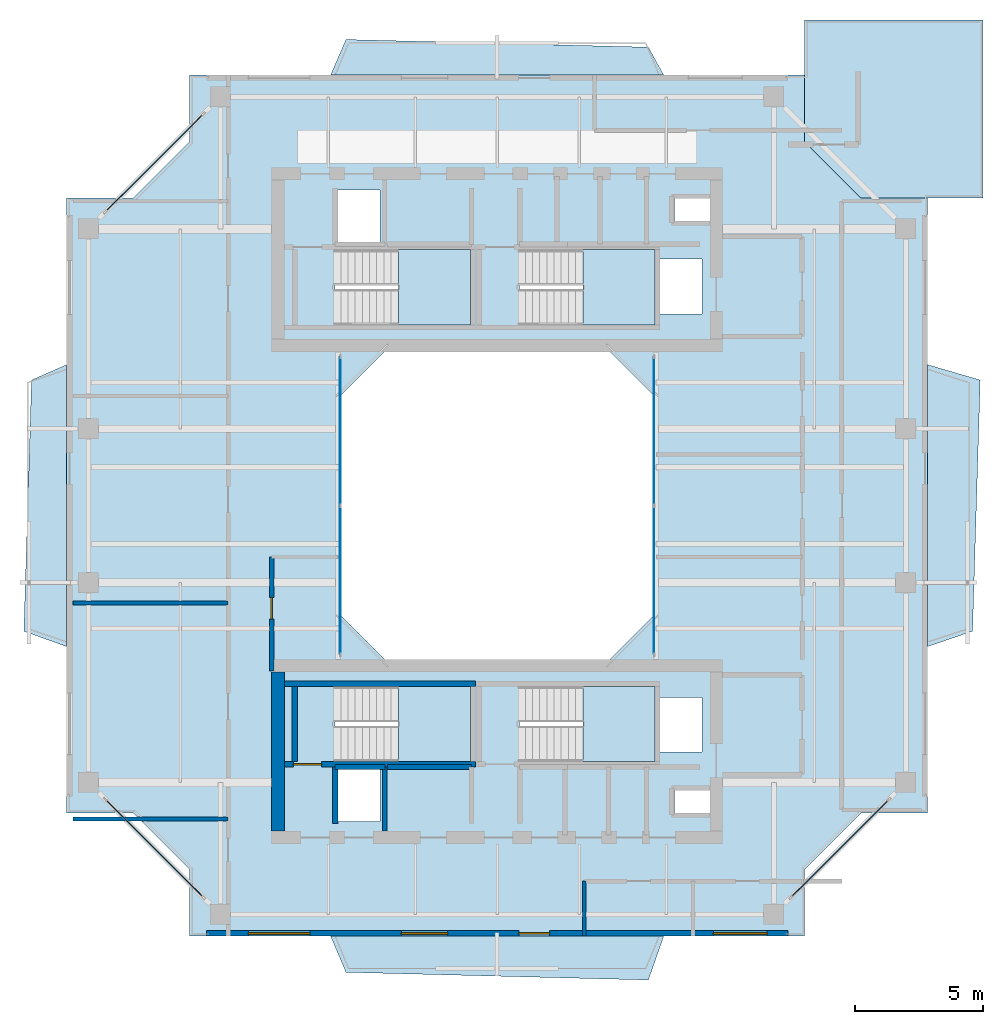
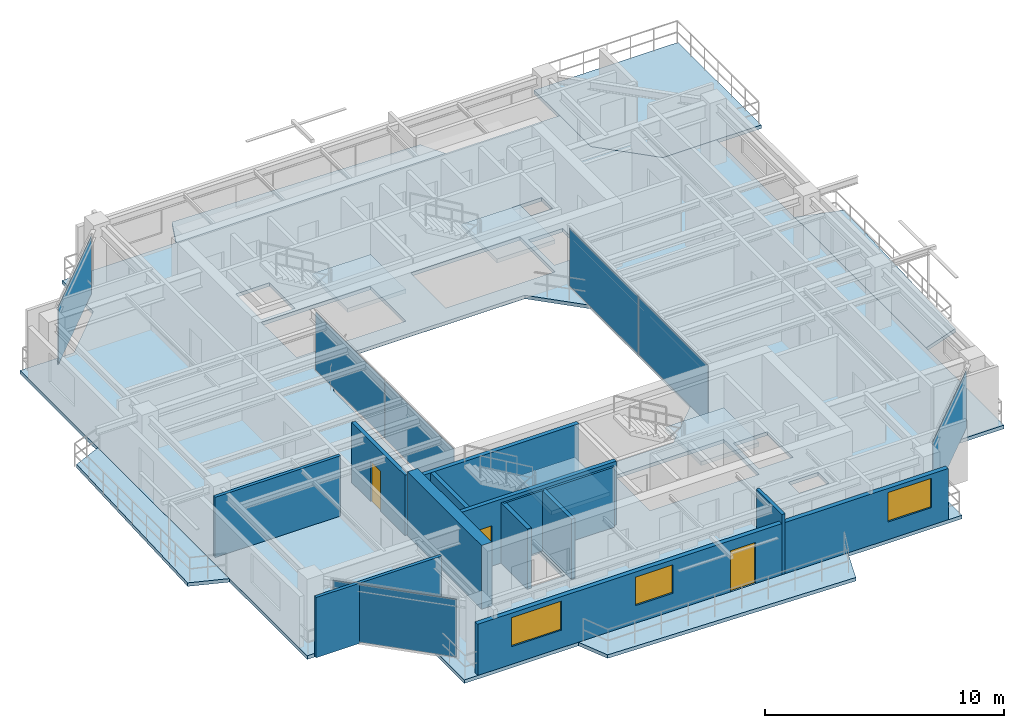
# One storey, part 9 of 16: 13 walls, 10 slabs, 7 plates, 3 doors, 3 windows, 6 openings, 9 elements without a shape of their own.
"""IFC4 building model written with IfcOpenShell, lengths in metres."""

import ifcopenshell
import ifcopenshell.guid

model = None  # the IFC model being written
_history = None  # IfcOwnerHistory: only IFC2X3 demands one
_inside = {}  # id of a spatial element -> (the spatial element, [elements in it])
_under = {}  # id of a project, library or spatial element -> (it, [spatial elements below it])
_declared = {}  # id of a project -> (the project, [libraries it declares])
_typed = {}  # id of a type object -> (the type object, [elements of that type])
_made_of = {}  # id of a material, layer set ... -> (it, [elements and type objects made of it])


def new_model(schema):
    """Start an empty IFC model of exactly this schema.

    Asked for "IFC4X3", IfcOpenShell would pick the latest addendum, in which some entities
    have other attributes; the version numbers below select the first issue.
    IFC2X3 requires an IfcOwnerHistory on every rooted entity: one is made here for all.
    """
    global model, _history
    if schema == "IFC4X3":
        model = ifcopenshell.file(schema_version=(4, 3, 0, 0))
    else:
        model = ifcopenshell.file(schema=schema)
    _inside.clear()
    _under.clear()
    _declared.clear()
    _typed.clear()
    _made_of.clear()
    _history = None
    if model.schema == "IFC2X3":
        org = make("IfcOrganization", Name="unknown")
        user = make(
            "IfcPersonAndOrganization",
            ThePerson=make("IfcPerson", FamilyName="unknown"),
            TheOrganization=org,
        )
        app = make(
            "IfcApplication",
            ApplicationDeveloper=org,
            Version="unknown",
            ApplicationFullName="unknown",
            ApplicationIdentifier="unknown",
        )
        _history = make(
            "IfcOwnerHistory",
            OwningUser=user,
            OwningApplication=app,
            ChangeAction="ADDED",
            CreationDate=0,
        )
    return model


def make(cls, **values):
    """One entity of the class cls with the attributes given. An attribute that is None is left unset."""
    return model.create_entity(
        cls, **{name: value for name, value in values.items() if value is not None}
    )


def rooted(cls, **values):
    """An entity with a GlobalId (a new one), such as an element, a storey or a relation."""
    return make(cls, GlobalId=ifcopenshell.guid.new(), OwnerHistory=_history, **values)


def si_unit(unit_type, name, prefix=None):
    """IfcSIUnit, for example si_unit("LENGTHUNIT", "METRE", prefix="MILLI")."""
    return make("IfcSIUnit", UnitType=unit_type, Prefix=prefix, Name=name)


def assignment(units):
    """IfcUnitAssignment: the units of a project."""
    return None if units is None else make("IfcUnitAssignment", Units=units)


def point(xyz):
    """IfcCartesianPoint."""
    return None if xyz is None else make("IfcCartesianPoint", Coordinates=xyz)


def direction(xyz):
    """IfcDirection."""
    return None if xyz is None else make("IfcDirection", DirectionRatios=xyz)


def frame(location, z_axis=None, x_axis=None):
    """IfcAxis2Placement3D, a coordinate frame: its origin and axes. An axis left out is left unset."""
    return make(
        "IfcAxis2Placement3D",
        Location=point(location),
        Axis=direction(z_axis),
        RefDirection=direction(x_axis),
    )


def frame_2d(location, x_axis=None):
    """IfcAxis2Placement2D, a coordinate frame in the plane: its origin and x axis."""
    return make(
        "IfcAxis2Placement2D", Location=point(location), RefDirection=direction(x_axis)
    )


def origin():
    """The frame at (0, 0, 0) with its axes left unset."""
    return frame((0.0, 0.0, 0.0))


def origin_2d():
    """The frame at (0, 0) in the plane with its x axis left unset."""
    return frame_2d((0.0, 0.0))


def place(relative_to, where):
    """IfcLocalPlacement: puts the frame where relative to a parent placement (None: the world)."""
    return make(
        "IfcLocalPlacement", PlacementRelTo=relative_to, RelativePlacement=where
    )


def context(
    kind, dimensions, precision=None, world=None, true_north=None, identifier=None
):
    """IfcGeometricRepresentationContext, for example the 3D "Model" context."""
    return make(
        "IfcGeometricRepresentationContext",
        ContextIdentifier=identifier,
        ContextType=kind,
        CoordinateSpaceDimension=dimensions,
        Precision=precision,
        WorldCoordinateSystem=world,
        TrueNorth=true_north,
    )


def subcontext(parent, identifier, kind, view, scale=None):
    """IfcGeometricRepresentationSubContext, for example "Body" below "Model"."""
    return make(
        "IfcGeometricRepresentationSubContext",
        ContextIdentifier=identifier,
        ContextType=kind,
        ParentContext=parent,
        TargetScale=scale,
        TargetView=view,
    )


def project(units=None, contexts=None):
    """IfcProject with its units and contexts."""
    return rooted(
        "IfcProject",
        Name="project",
        RepresentationContexts=contexts,
        UnitsInContext=assignment(units),
    )


def spatial(cls, under=None, at=None, **own):
    """A site, building, storey or space (cls), placed at a placement, below another one or the project."""
    s = rooted(cls, ObjectPlacement=at, **own)
    if under is not None:
        _under.setdefault(under.id(), (under, []))[1].append(s)
    return s


def polyline(points):
    """IfcPolyline through the points."""
    return make("IfcPolyline", Points=[point(p) for p in points])


def profile(cls, at=None, kind="AREA", **sizes):
    """A parametric profile (cls). Its sizes go by their IFC names, for example OverallWidth=200.0."""
    return make(cls, ProfileType=kind, Position=at, **sizes)


def rectangle(**sizes):
    """IfcRectangleProfileDef."""
    return profile("IfcRectangleProfileDef", **sizes)


def outline(outer, holes=None, kind="AREA"):
    """IfcArbitraryClosedProfileDef: a profile drawn as a closed curve; with holes, ...WithVoids."""
    if holes is None:
        return make("IfcArbitraryClosedProfileDef", ProfileType=kind, OuterCurve=outer)
    return make(
        "IfcArbitraryProfileDefWithVoids",
        ProfileType=kind,
        OuterCurve=outer,
        InnerCurves=holes,
    )


def extrude(swept, where, along, depth):
    """IfcExtrudedAreaSolid: the profile swept, set in the frame where, extruded along a direction by depth."""
    return make(
        "IfcExtrudedAreaSolid",
        SweptArea=swept,
        Position=where,
        ExtrudedDirection=direction(along),
        Depth=depth,
    )


def shape(context_of_items, identifier, shape_type, items):
    """IfcShapeRepresentation: the items that make up one representation, for example the "Body"."""
    return make(
        "IfcShapeRepresentation",
        ContextOfItems=context_of_items,
        RepresentationIdentifier=identifier,
        RepresentationType=shape_type,
        Items=items,
    )


def source(mapping_origin, context_of_items, identifier, shape_type, items):
    """IfcRepresentationMap: a shape defined once, which mapped items show again and again."""
    return make(
        "IfcRepresentationMap",
        MappingOrigin=mapping_origin,
        MappedRepresentation=shape(context_of_items, identifier, shape_type, items),
    )


def transform(
    local_origin,
    x_axis=None,
    y_axis=None,
    z_axis=None,
    scale=None,
    scale2=None,
    scale3=None,
    uniform=True,
):
    """IfcCartesianTransformationOperator3D, or its non-uniform kind. x_axis, y_axis, z_axis: its Axis1, 2, 3."""
    if uniform:
        return make(
            "IfcCartesianTransformationOperator3D",
            Axis1=direction(x_axis),
            Axis2=direction(y_axis),
            LocalOrigin=point(local_origin),
            Scale=scale,
            Axis3=direction(z_axis),
        )
    return make(
        "IfcCartesianTransformationOperator3DnonUniform",
        Axis1=direction(x_axis),
        Axis2=direction(y_axis),
        LocalOrigin=point(local_origin),
        Scale=scale,
        Axis3=direction(z_axis),
        Scale2=scale2,
        Scale3=scale3,
    )


def mapped(mapping_source, mapping_target):
    """IfcMappedItem: shows the shape of a source again, moved by a transform."""
    return make(
        "IfcMappedItem", MappingSource=mapping_source, MappingTarget=mapping_target
    )


def material(Name=None, Category=None):
    """IfcMaterial."""
    return make("IfcMaterial", Name=Name, Category=Category)


def layer(
    of_material, thickness, ventilated=None, Name=None, Category=None, Priority=None
):
    """IfcMaterialLayer: one layer of a wall or slab, of a material (None: an air gap)."""
    return make(
        "IfcMaterialLayer",
        Material=of_material,
        LayerThickness=thickness,
        IsVentilated=ventilated,
        Name=Name,
        Category=Category,
        Priority=Priority,
    )


def layer_set(layers, Name=None):
    """IfcMaterialLayerSet."""
    return make("IfcMaterialLayerSet", MaterialLayers=layers, LayerSetName=Name)


def made_of(thing, what):
    """Note that an element or type object is made of a material, layer set ...; save() writes the relation."""
    if what is not None:
        _made_of.setdefault(what.id(), (what, []))[1].append(thing)
    return thing


def type_object(cls, material=None, **own):
    """A type object (cls), such as IfcWallType, which elements share."""
    return made_of(rooted(cls, **own), material)


def element(
    cls,
    number,
    at=None,
    inside=None,
    cuts=None,
    type_object=None,
    material=None,
    context=None,
    identifier="Body",
    shape_type=None,
    held_by="IfcProductDefinitionShape",
    body=None,
    shapes=None,
    **own,
):
    """One element of the class cls, such as IfcWall. Its Tag is "e" and its number.

    at: its placement. inside: the storey or other place that contains it. cuts: it is an
    opening in that element (IfcRelVoidsElement). A single representation is given by context,
    identifier, shape_type and body (its items); several are given by shapes. held_by: the class
    of the entity that holds the representations. save() writes the other relations.
    """
    e = rooted(cls, Tag="e%d" % number, ObjectPlacement=at, **own)
    if body is not None:
        shapes = [shape(context, identifier, shape_type, body)]
    if shapes is not None:
        e.Representation = make(held_by, Representations=shapes)
    if inside is not None:
        _inside.setdefault(inside.id(), (inside, []))[1].append(e)
    if cuts is not None:
        rooted(
            "IfcRelVoidsElement", RelatingBuildingElement=cuts, RelatedOpeningElement=e
        )
    if type_object is not None:
        _typed.setdefault(type_object.id(), (type_object, []))[1].append(e)
    return made_of(e, material)


def fill(opening, filler):
    """IfcRelFillsElement: the door or window that sits in an opening."""
    return rooted(
        "IfcRelFillsElement",
        RelatingOpeningElement=opening,
        RelatedBuildingElement=filler,
    )


def aggregate(whole, parts):
    """IfcRelAggregates: a whole, such as a stair, and the parts it consists of."""
    return rooted("IfcRelAggregates", RelatingObject=whole, RelatedObjects=parts)


def save(model, path):
    """Write the relations noted so far, then the file.

    IfcRelAggregates (storeys below a building ...), IfcRelContainedInSpatialStructure (elements
    in a storey), IfcRelDefinesByType, IfcRelAssociatesMaterial and IfcRelDeclares: one each for
    every whole, place, type object, material and project.
    """
    for whole, parts in _under.values():
        aggregate(whole, parts)
    for where, things in _inside.values():
        rooted(
            "IfcRelContainedInSpatialStructure",
            RelatedElements=things,
            RelatingStructure=where,
        )
    for kind, things in _typed.values():
        rooted("IfcRelDefinesByType", RelatedObjects=things, RelatingType=kind)
    for what, things in _made_of.values():
        rooted("IfcRelAssociatesMaterial", RelatedObjects=things, RelatingMaterial=what)
    for by, libraries in _declared.values():
        rooted("IfcRelDeclares", RelatingContext=by, RelatedDefinitions=libraries)
    model.write(path)


model = new_model("IFC4")

# Units and contexts
model_context = context("Model", 3, precision=1e-05, world=origin(), true_north=direction((0.0, 1.0)))
body_context = subcontext(model_context, "Body", "Model", "MODEL_VIEW")
ifc_project = project(units=[si_unit("LENGTHUNIT", "METRE"), si_unit("AREAUNIT", "SQUARE_METRE"), si_unit("VOLUMEUNIT", "CUBIC_METRE"), si_unit("PLANEANGLEUNIT", "RADIAN"), si_unit("MASSUNIT", "GRAM", prefix="KILO"), si_unit("THERMODYNAMICTEMPERATUREUNIT", "KELVIN"), si_unit("POWERUNIT", "WATT")], contexts=[model_context])

# Site, building, storey
site_placement = place(None, origin())
site = spatial("IfcSite", under=ifc_project, at=site_placement, CompositionType="ELEMENT")
building_placement = place(site_placement, origin())
building = spatial("IfcBuilding", under=site, at=building_placement, Name="Qiaomeng Ring Towers", CompositionType="ELEMENT")
storey_placement = place(building_placement, frame((0.0, 0.0, 223.0)))
storey = spatial("IfcBuildingStorey", under=building, at=storey_placement, Name="L65", CompositionType="ELEMENT", Elevation=223.0)

# Slabs
ifc_material_1 = material(Name="Concrete C40", Category="concrete")
ifc_layer_1 = layer(ifc_material_1, 0.179931640625, Name="Concrete C40")
ifc_layer_set_1 = layer_set([ifc_layer_1], Name="Concrete C40")
slab_type_1 = type_object("IfcSlabType", Name="STR-SL-180", PredefinedType="FLOOR", material=ifc_layer_set_1)
slab_1_placement = place(storey_placement, frame((0.0, 0.0, -0.179931640625)))
element("IfcSlab", 1, at=slab_1_placement, inside=storey, type_object=slab_type_1, Name="L65 Tower 1 Annular Floor Slab", PredefinedType="FLOOR", context=body_context, shape_type="SweptSolid", body=[
    extrude(outline(polyline([(7.0, 6.199951171875), (31.0, 6.199951171875), (31.0, 8.800048828125), (33.199951171875, 11.0), (35.800048828125, 11.0), (35.800048828125, 35.0), (33.199951171875, 35.0), (31.0, 37.199951171875), (31.0, 39.800048828125), (7.0, 39.800048828125), (7.0, 37.199951171875), (4.800048828125, 35.0), (2.199951171875, 35.0), (2.199951171875, 11.0), (4.800048828125, 11.0), (7.0, 8.800048828125), (7.0, 6.199951171875)]), holes=[polyline([(12.780029296875, 10.679931640625), (12.780029296875, 12.820068359375), (14.419921875, 12.820068359375), (14.419921875, 10.679931640625), (12.780029296875, 10.679931640625)]), polyline([(12.679931640625, 13.010009765625), (12.679931640625, 15.949951171875), (17.949951171875, 15.949951171875), (17.949951171875, 13.010009765625), (12.679931640625, 13.010009765625)]), polyline([(23.199951171875, 29.199951171875), (25.199951171875, 27.199951171875), (25.199951171875, 18.800048828125), (23.199951171875, 16.800048828125), (14.800048828125, 16.800048828125), (12.800048828125, 18.800048828125), (12.800048828125, 27.199951171875), (14.800048828125, 29.199951171875), (23.199951171875, 29.199951171875)]), polyline([(12.679931640625, 32.989990234375), (17.949951171875, 32.989990234375), (17.949951171875, 30.050048828125), (12.679931640625, 30.050048828125), (12.679931640625, 32.989990234375)]), polyline([(19.8798828125, 32.989990234375), (25.14990234375, 32.989990234375), (25.14990234375, 30.050048828125), (19.8798828125, 30.050048828125), (19.8798828125, 32.989990234375)]), polyline([(12.780029296875, 33.179931640625), (12.780029296875, 35.320068359375), (14.419921875, 35.320068359375), (14.419921875, 33.179931640625), (12.780029296875, 33.179931640625)]), polyline([(25.919921875, 11.89990234375), (27.360107421875, 11.89990234375), (27.360107421875, 11.0), (25.919921875, 11.0), (25.919921875, 11.89990234375)]), polyline([(25.360107421875, 15.52001953125), (27.0, 15.52001953125), (27.0, 13.3798828125), (25.360107421875, 13.3798828125), (25.360107421875, 15.52001953125)]), polyline([(19.8798828125, 13.010009765625), (19.8798828125, 15.949951171875), (25.14990234375, 15.949951171875), (25.14990234375, 13.010009765625), (19.8798828125, 13.010009765625)]), polyline([(25.360107421875, 32.6201171875), (27.0, 32.6201171875), (27.0, 30.47998046875), (25.360107421875, 30.47998046875), (25.360107421875, 32.6201171875)]), polyline([(25.919921875, 35.0), (27.360107421875, 35.0), (27.360107421875, 34.10009765625), (25.919921875, 34.10009765625), (25.919921875, 35.0)])]), origin(), (0.0, 0.0, 1.0), 0.179931640625),
])
ifc_layer_2 = layer(ifc_material_1, 0.179931640625, Name="Concrete C40")
ifc_layer_set_2 = layer_set([ifc_layer_2], Name="Concrete C40")
slab_type_2 = type_object("IfcSlabType", Name="STR-SL-BAL", PredefinedType="FLOOR", material=ifc_layer_set_2)
slab_2_placement = place(storey_placement, frame((0.0, 0.0, -0.179931640625)))
element("IfcSlab", 2, at=slab_2_placement, inside=storey, type_object=slab_type_2, Name="L65 Tower 1 S Faceted Balcony Slab", PredefinedType="FLOOR", context=body_context, shape_type="SweptSolid", body=[
    extrude(outline(polyline([(25.5, 6.199951171875), (24.89990234375, 4.489990234375), (13.10009765625, 4.7900390625), (12.5, 6.199951171875), (25.5, 6.199951171875)])), origin(), (0.0, 0.0, 1.0), 0.179931640625),
])
slab_3_placement = place(storey_placement, frame((0.0, 0.0, -0.179931640625)))
element("IfcSlab", 3, at=slab_3_placement, inside=storey, type_object=slab_type_2, Name="L65 Tower 1 E Faceted Balcony Slab", PredefinedType="FLOOR", context=body_context, shape_type="SweptSolid", body=[
    extrude(outline(polyline([(37.85009765625, 27.89990234375), (37.550048828125, 18.10009765625), (35.800048828125, 17.5), (35.800048828125, 28.5), (37.85009765625, 27.89990234375)])), origin(), (0.0, 0.0, 1.0), 0.179931640625),
])
slab_4_placement = place(storey_placement, frame((0.0, 0.0, -0.179931640625)))
element("IfcSlab", 4, at=slab_4_placement, inside=storey, type_object=slab_type_2, Name="L65 Tower 1 N Faceted Balcony Slab", PredefinedType="FLOOR", context=body_context, shape_type="SweptSolid", body=[
    extrude(outline(polyline([(12.5, 39.800048828125), (13.10009765625, 41.18994140625), (24.89990234375, 40.889892578125), (25.5, 39.800048828125), (12.5, 39.800048828125)])), origin(), (0.0, 0.0, 1.0), 0.179931640625),
])
slab_5_placement = place(storey_placement, frame((0.0, 0.0, -0.179931640625)))
element("IfcSlab", 5, at=slab_5_placement, inside=storey, type_object=slab_type_2, Name="L65 Tower 1 W Faceted Balcony Slab", PredefinedType="FLOOR", context=body_context, shape_type="SweptSolid", body=[
    extrude(outline(polyline([(0.530029296875, 18.10009765625), (0.830078125, 27.89990234375), (2.199951171875, 28.5), (2.199951171875, 17.5), (0.530029296875, 18.10009765625)])), origin(), (0.0, 0.0, 1.0), 0.179931640625),
])

# Stair, slab
ifc_material_2 = material(Name="Precast concrete C40", Category="concrete")
stair_type = type_object("IfcStairType", Name="ARC-ST-325", PredefinedType="HALF_TURN_STAIR", material=ifc_material_2)
stair_1_placement = place(storey_placement, origin())
stair_1 = element("IfcStair", 6, at=stair_1_placement, inside=storey, type_object=stair_type, Name="L65 Tower 1 North Stair 1", PredefinedType="HALF_TURN_STAIR")
ifc_layer_3 = layer(ifc_material_1, 0.199951171875, Name="Concrete C40")
ifc_layer_set_3 = layer_set([ifc_layer_3], Name="Concrete C40")
slab_type_3 = type_object("IfcSlabType", Name="STR-SL-LANDING", PredefinedType="LANDING", material=ifc_layer_set_3)
slab_6_placement = place(storey_placement, frame((0.0, 0.0, 1.425048828125)))
slab_6 = element("IfcSlab", 7, at=slab_6_placement, type_object=slab_type_3, Name="ST1 landing 1", PredefinedType="LANDING", context=body_context, shape_type="SweptSolid", body=[
    extrude(outline(polyline([(15.139892578125, 30.050048828125), (17.949951171875, 30.050048828125), (17.949951171875, 32.989990234375), (15.139892578125, 32.989990234375), (15.139892578125, 30.050048828125)])), origin(), (0.0, 0.0, 1.0), 0.199951171875),
])
aggregate(stair_1, [slab_6])

stair_2_placement = place(storey_placement, origin())
stair_2 = element("IfcStair", 8, at=stair_2_placement, inside=storey, type_object=stair_type, Name="L65 Tower 1 North Stair 2", PredefinedType="HALF_TURN_STAIR")
slab_7_placement = place(storey_placement, frame((0.0, 0.0, 1.425048828125)))
slab_7 = element("IfcSlab", 9, at=slab_7_placement, type_object=slab_type_3, Name="ST2 landing 1", PredefinedType="LANDING", context=body_context, shape_type="SweptSolid", body=[
    extrude(outline(polyline([(22.340087890625, 30.050048828125), (25.14990234375, 30.050048828125), (25.14990234375, 32.989990234375), (22.340087890625, 32.989990234375), (22.340087890625, 30.050048828125)])), origin(), (0.0, 0.0, 1.0), 0.199951171875),
])
aggregate(stair_2, [slab_7])

stair_3_placement = place(storey_placement, origin())
stair_3 = element("IfcStair", 10, at=stair_3_placement, inside=storey, type_object=stair_type, Name="L65 Tower 1 South Stair 3", PredefinedType="HALF_TURN_STAIR")
slab_8_placement = place(storey_placement, frame((0.0, 0.0, 1.425048828125)))
slab_8 = element("IfcSlab", 11, at=slab_8_placement, type_object=slab_type_3, Name="ST3 landing 1", PredefinedType="LANDING", context=body_context, shape_type="SweptSolid", body=[
    extrude(outline(polyline([(15.139892578125, 13.010009765625), (17.949951171875, 13.010009765625), (17.949951171875, 15.949951171875), (15.139892578125, 15.949951171875), (15.139892578125, 13.010009765625)])), origin(), (0.0, 0.0, 1.0), 0.199951171875),
])
aggregate(stair_3, [slab_8])

stair_4_placement = place(storey_placement, origin())
stair_4 = element("IfcStair", 12, at=stair_4_placement, inside=storey, type_object=stair_type, Name="L65 Tower 1 South Stair 4", PredefinedType="HALF_TURN_STAIR")
slab_9_placement = place(storey_placement, frame((0.0, 0.0, 1.425048828125)))
slab_9 = element("IfcSlab", 13, at=slab_9_placement, type_object=slab_type_3, Name="ST4 landing 1", PredefinedType="LANDING", context=body_context, shape_type="SweptSolid", body=[
    extrude(outline(polyline([(22.340087890625, 13.010009765625), (25.14990234375, 13.010009765625), (25.14990234375, 15.949951171875), (22.340087890625, 15.949951171875), (22.340087890625, 13.010009765625)])), origin(), (0.0, 0.0, 1.0), 0.199951171875),
])
aggregate(stair_4, [slab_9])

# Slab
ifc_layer_4 = layer(ifc_material_1, 0.179931640625, Name="Concrete C40")
ifc_layer_set_4 = layer_set([ifc_layer_4], Name="Concrete C40")
slab_type_4 = type_object("IfcSlabType", Name="STR-SL-TERR180", PredefinedType="FLOOR", material=ifc_layer_set_4)
slab_10_placement = place(storey_placement, frame((0.0, 0.0, -0.179931640625)))
element("IfcSlab", 14, at=slab_10_placement, inside=storey, type_object=slab_type_4, Name="L65 Spiralling Corner Sky Terrace NE", PredefinedType="FLOOR", context=body_context, shape_type="SweptSolid", body=[
    extrude(outline(polyline([(31.0, 41.949951171875), (37.949951171875, 41.949951171875), (37.949951171875, 35.0), (35.800048828125, 35.0), (33.199951171875, 35.0), (31.0, 37.199951171875), (31.0, 39.800048828125), (31.0, 39.800048828125), (31.0, 41.949951171875)])), origin(), (0.0, 0.0, 1.0), 0.179931640625),
])

# Curtain wall, plates
ifc_material_3 = material(Name="Fluorocarbon dark-grey aluminium", Category="aluminium")
ifc_layer_5 = layer(ifc_material_3, 0.139892578125, Name="Fluorocarbon dark-grey aluminium")
ifc_layer_set_5 = layer_set([ifc_layer_5], Name="Fluorocarbon dark-grey aluminium")
curtain_wall_type_1 = type_object("IfcCurtainWallType", Name="ARC-CW-4", PredefinedType="NOTDEFINED", material=ifc_layer_set_5)
curtain_wall_1_placement = place(storey_placement, origin())
curtain_wall_1 = element("IfcCurtainWall", 15, at=curtain_wall_1_placement, inside=storey, type_object=curtain_wall_type_1, Name="L65 Curtain Wall CW4", PredefinedType="NOTDEFINED")
ifc_material_4 = material(Name="Low-E dark-grey laminated double glazing", Category="glass")
ifc_layer_6 = layer(ifc_material_4, 0.028076171875, Name="Low-E dark-grey laminated double glazing")
ifc_layer_set_6 = layer_set([ifc_layer_6], Name="Low-E dark-grey laminated double glazing")
plate_type = type_object("IfcPlateType", Name="ARC-CWP-DARK", PredefinedType="CURTAIN_PANEL", material=ifc_layer_set_6)
shared_shape_1 = source(origin(), body_context, "Body", "SweptSolid", [
    extrude(rectangle(XDim=5.75244140625, YDim=0.028076171875, at=origin_2d()), origin(), (0.0, 0.0, 1.0), 2.93994140625),
])
plate_1_placement = place(storey_placement, frame((12.8798828125, 20.09130859375, 0.06494140625), z_axis=(0.0, 0.0, 1.0), x_axis=(0.0, 1.0, 0.0)))
plate_1 = element("IfcPlate", 16, at=plate_1_placement, type_object=plate_type, Name="CW4 panel 1.1", PredefinedType="CURTAIN_PANEL", context=body_context, shape_type="MappedRepresentation", body=[
    mapped(shared_shape_1, transform((0.0, 0.0, 0.0), x_axis=(1.0, 0.0, 0.0), y_axis=(0.0, 1.0, 0.0), z_axis=(0.0, 0.0, 1.0), scale=1.0)),
])
plate_2_placement = place(storey_placement, frame((12.8798828125, 25.90869140625, 0.06494140625), z_axis=(0.0, 0.0, 1.0), x_axis=(0.0, 1.0, 0.0)))
plate_2 = element("IfcPlate", 17, at=plate_2_placement, type_object=plate_type, Name="CW4 panel 2.1", PredefinedType="CURTAIN_PANEL", context=body_context, shape_type="MappedRepresentation", body=[
    mapped(shared_shape_1, transform((0.0, 0.0, 0.0), x_axis=(1.0, 0.0, 0.0), y_axis=(0.0, 1.0, 0.0), z_axis=(0.0, 0.0, 1.0), scale=1.0)),
])
aggregate(curtain_wall_1, [plate_1, plate_2])

curtain_wall_2_placement = place(storey_placement, origin())
curtain_wall_2 = element("IfcCurtainWall", 18, at=curtain_wall_2_placement, inside=storey, type_object=curtain_wall_type_1, Name="L65 Curtain Wall CW4", PredefinedType="NOTDEFINED")
plate_3_placement = place(storey_placement, frame((25.1201171875, 20.09130859375, 0.06494140625), z_axis=(0.0, 0.0, 1.0), x_axis=(0.0, 1.0, 0.0)))
plate_3 = element("IfcPlate", 19, at=plate_3_placement, type_object=plate_type, Name="CW4 panel 1.1", PredefinedType="CURTAIN_PANEL", context=body_context, shape_type="MappedRepresentation", body=[
    mapped(shared_shape_1, transform((0.0, 0.0, 0.0), x_axis=(1.0, 0.0, 0.0), y_axis=(0.0, 1.0, 0.0), z_axis=(0.0, 0.0, 1.0), scale=1.0)),
])
plate_4_placement = place(storey_placement, frame((25.1201171875, 25.90869140625, 0.06494140625), z_axis=(0.0, 0.0, 1.0), x_axis=(0.0, 1.0, 0.0)))
plate_4 = element("IfcPlate", 20, at=plate_4_placement, type_object=plate_type, Name="CW4 panel 2.1", PredefinedType="CURTAIN_PANEL", context=body_context, shape_type="MappedRepresentation", body=[
    mapped(shared_shape_1, transform((0.0, 0.0, 0.0), x_axis=(1.0, 0.0, 0.0), y_axis=(0.0, 1.0, 0.0), z_axis=(0.0, 0.0, 1.0), scale=1.0)),
])
aggregate(curtain_wall_2, [plate_3, plate_4])

# Curtain wall, plate
ifc_layer_7 = layer(ifc_material_3, 0.14990234375, Name="Fluorocarbon dark-grey aluminium")
ifc_layer_set_7 = layer_set([ifc_layer_7], Name="Fluorocarbon dark-grey aluminium")
curtain_wall_type_2 = type_object("IfcCurtainWallType", Name="ARC-CW-3", PredefinedType="NOTDEFINED", material=ifc_layer_set_7)
curtain_wall_3_placement = place(storey_placement, origin())
curtain_wall_3 = element("IfcCurtainWall", 21, at=curtain_wall_3_placement, inside=storey, type_object=curtain_wall_type_2, Name="L65 Curtain Wall CW3", PredefinedType="NOTDEFINED")
shared_shape_2 = source(origin(), body_context, "Body", "SweptSolid", [
    extrude(rectangle(XDim=5.3330078125, YDim=0.028076171875, at=origin_2d()), origin(), (0.0, 0.0, 1.0), 2.93994140625),
])
plate_5_placement = place(storey_placement, frame((32.375, 9.625, 0.06494140625), z_axis=(0.0, 0.0, 1.0), x_axis=(0.707106781187, 0.707106781187, 0.0)))
plate_5 = element("IfcPlate", 22, at=plate_5_placement, type_object=plate_type, Name="CW3 panel 1.1", PredefinedType="CURTAIN_PANEL", context=body_context, shape_type="MappedRepresentation", body=[
    mapped(shared_shape_2, transform((0.0, 0.0, 0.0), x_axis=(1.0, 0.0, 0.0), y_axis=(0.0, 1.0, 0.0), z_axis=(0.0, 0.0, 1.0), scale=1.0)),
])
aggregate(curtain_wall_3, [plate_5])

curtain_wall_4_placement = place(storey_placement, origin())
curtain_wall_4 = element("IfcCurtainWall", 23, at=curtain_wall_4_placement, inside=storey, type_object=curtain_wall_type_2, Name="L65 Curtain Wall CW3", PredefinedType="NOTDEFINED")
plate_6_placement = place(storey_placement, frame((5.625, 36.375, 0.06494140625), z_axis=(0.0, 0.0, 1.0), x_axis=(-0.707106781187, -0.707106781187, 0.0)))
plate_6 = element("IfcPlate", 24, at=plate_6_placement, type_object=plate_type, Name="CW3 panel 1.1", PredefinedType="CURTAIN_PANEL", context=body_context, shape_type="MappedRepresentation", body=[
    mapped(shared_shape_2, transform((0.0, 0.0, 0.0), x_axis=(1.0, 0.0, 0.0), y_axis=(0.0, 1.0, 0.0), z_axis=(0.0, 0.0, 1.0), scale=1.0)),
])
aggregate(curtain_wall_4, [plate_6])

curtain_wall_5_placement = place(storey_placement, origin())
curtain_wall_5 = element("IfcCurtainWall", 25, at=curtain_wall_5_placement, inside=storey, type_object=curtain_wall_type_2, Name="L65 Curtain Wall CW3", PredefinedType="NOTDEFINED")
plate_7_placement = place(storey_placement, frame((5.625, 9.625, 0.06494140625), z_axis=(0.0, 0.0, 1.0), x_axis=(0.707106781187, -0.707106781187, 0.0)))
plate_7 = element("IfcPlate", 26, at=plate_7_placement, type_object=plate_type, Name="CW3 panel 1.1", PredefinedType="CURTAIN_PANEL", context=body_context, shape_type="MappedRepresentation", body=[
    mapped(shared_shape_2, transform((0.0, 0.0, 0.0), x_axis=(1.0, 0.0, 0.0), y_axis=(0.0, 1.0, 0.0), z_axis=(0.0, 0.0, 1.0), scale=1.0)),
])
aggregate(curtain_wall_5, [plate_7])

# Wall, openings, windows, door
ifc_layer_8 = layer(ifc_material_2, 0.219970703125, Name="Precast concrete C40")
ifc_layer_set_8 = layer_set([ifc_layer_8], Name="Precast concrete C40")
wall_type_1 = type_object("IfcWallType", Name="ARC-WL-EW2", PredefinedType="STANDARD", material=ifc_layer_set_8)
wall_1_placement = place(storey_placement, frame((7.64990234375, 6.31005859375, 0.0), z_axis=(0.0, 0.0, 1.0), x_axis=(1.0, 0.0, 0.0)))
wall_1 = element("IfcWall", 27, at=wall_1_placement, inside=storey, type_object=wall_type_1, Name="L65 Tower 1 S Exterior Wall", PredefinedType="STANDARD", context=body_context, shape_type="SweptSolid", body=[
    extrude(rectangle(XDim=22.7001953125, YDim=0.219970703125, at=frame_2d((11.35009765625, 0.0))), origin(), (0.0, 0.0, 1.0), 2.610107421875),
])
opening_1_placement = place(wall_1_placement, frame((12.199951171875, 0.0, 0.0)))
opening_1 = element("IfcOpeningElement", 28, at=opening_1_placement, cuts=wall_1, Name="Opening BD1", PredefinedType="OPENING", context=body_context, shape_type="SweptSolid", body=[
    extrude(rectangle(XDim=1.199951171875, YDim=2.10009765625, at=frame_2d((0.60009765625, 1.050048828125))), frame((0.0, 0.119873046875, 0.0), z_axis=(0.0, -1.0, 0.0), x_axis=(1.0, 0.0, 0.0)), (0.0, 0.0, 1.0), 0.239990234375),
])
opening_2_placement = place(wall_1_placement, frame((1.636962890625, 0.0, 0.89990234375)))
opening_2 = element("IfcOpeningElement", 29, at=opening_2_placement, cuts=wall_1, Name="Opening WN6", PredefinedType="OPENING", context=body_context, shape_type="SweptSolid", body=[
    extrude(rectangle(XDim=2.39990234375, YDim=1.47998046875, at=frame_2d((1.199951171875, 0.739990234375))), frame((0.0, 0.119873046875, 0.0), z_axis=(0.0, -1.0, 0.0), x_axis=(1.0, 0.0, 0.0)), (0.0, 0.0, 1.0), 0.239990234375),
])
opening_3_placement = place(wall_1_placement, frame((7.612060546875, 0.0, 0.89990234375)))
opening_3 = element("IfcOpeningElement", 30, at=opening_3_placement, cuts=wall_1, Name="Opening WN1", PredefinedType="OPENING", context=body_context, shape_type="SweptSolid", body=[
    extrude(rectangle(XDim=1.800048828125, YDim=1.449951171875, at=frame_2d((0.89990234375, 0.72509765625))), frame((0.0, 0.119873046875, 0.0), z_axis=(0.0, -1.0, 0.0), x_axis=(1.0, 0.0, 0.0)), (0.0, 0.0, 1.0), 0.239990234375),
])
opening_4_placement = place(wall_1_placement, frame((19.78759765625, 0.0, 0.89990234375)))
opening_4 = element("IfcOpeningElement", 31, at=opening_4_placement, cuts=wall_1, Name="Opening WN4", PredefinedType="OPENING", context=body_context, shape_type="SweptSolid", body=[
    extrude(rectangle(XDim=2.10009765625, YDim=1.5, at=frame_2d((1.050048828125, 0.75))), frame((0.0, 0.119873046875, 0.0), z_axis=(0.0, -1.0, 0.0), x_axis=(1.0, 0.0, 0.0)), (0.0, 0.0, 1.0), 0.239990234375),
])
window_type_1 = type_object("IfcWindowType", Name="ARC-WN-4", PartitioningType="TRIPLE_PANEL_VERTICAL", PredefinedType="WINDOW", material=ifc_material_4)
shared_shape_3 = source(origin(), body_context, "Body", "SweptSolid", [
    extrude(rectangle(XDim=2.10009765625, YDim=1.5, at=frame_2d((1.050048828125, 0.75))), frame((0.0, 0.030029296875, 0.0), z_axis=(0.0, -1.0, 0.0), x_axis=(1.0, 0.0, 0.0)), (0.0, 0.0, 1.0), 0.06005859375),
])
window_1_placement = place(opening_4_placement, origin())
window_1 = element("IfcWindow", 32, at=window_1_placement, inside=storey, type_object=window_type_1, Name="L65 Exterior Window WN4", OverallHeight=1.5, OverallWidth=2.10009765625, PartitioningType="TRIPLE_PANEL_VERTICAL", PredefinedType="WINDOW", context=body_context, shape_type="MappedRepresentation", body=[
    mapped(shared_shape_3, transform((0.0, 0.0, 0.0), x_axis=(1.0, 0.0, 0.0), y_axis=(0.0, 1.0, 0.0), z_axis=(0.0, 0.0, 1.0), scale=1.0)),
])
fill(opening_4, window_1)
window_type_2 = type_object("IfcWindowType", Name="ARC-WN-1", PartitioningType="DOUBLE_PANEL_VERTICAL", PredefinedType="WINDOW", material=ifc_material_4)
shared_shape_4 = source(origin(), body_context, "Body", "SweptSolid", [
    extrude(rectangle(XDim=1.800048828125, YDim=1.449951171875, at=frame_2d((0.89990234375, 0.72509765625))), frame((0.0, 0.030029296875, 0.0), z_axis=(0.0, -1.0, 0.0), x_axis=(1.0, 0.0, 0.0)), (0.0, 0.0, 1.0), 0.06005859375),
])
window_2_placement = place(opening_3_placement, origin())
window_2 = element("IfcWindow", 33, at=window_2_placement, inside=storey, type_object=window_type_2, Name="L65 Exterior Window WN1", OverallHeight=1.449951171875, OverallWidth=1.800048828125, PartitioningType="DOUBLE_PANEL_VERTICAL", PredefinedType="WINDOW", context=body_context, shape_type="MappedRepresentation", body=[
    mapped(shared_shape_4, transform((0.0, 0.0, 0.0), x_axis=(1.0, 0.0, 0.0), y_axis=(0.0, 1.0, 0.0), z_axis=(0.0, 0.0, 1.0), scale=1.0)),
])
fill(opening_3, window_2)
window_type_3 = type_object("IfcWindowType", Name="ARC-WN-6", PartitioningType="TRIPLE_PANEL_VERTICAL", PredefinedType="WINDOW", material=ifc_material_4)
shared_shape_5 = source(origin(), body_context, "Body", "SweptSolid", [
    extrude(rectangle(XDim=2.39990234375, YDim=1.47998046875, at=frame_2d((1.199951171875, 0.739990234375))), frame((0.0, 0.030029296875, 0.0), z_axis=(0.0, -1.0, 0.0), x_axis=(1.0, 0.0, 0.0)), (0.0, 0.0, 1.0), 0.06005859375),
])
window_3_placement = place(opening_2_placement, origin())
window_3 = element("IfcWindow", 34, at=window_3_placement, inside=storey, type_object=window_type_3, Name="L65 Exterior Window WN6", OverallHeight=1.47998046875, OverallWidth=2.39990234375, PartitioningType="TRIPLE_PANEL_VERTICAL", PredefinedType="WINDOW", context=body_context, shape_type="MappedRepresentation", body=[
    mapped(shared_shape_5, transform((0.0, 0.0, 0.0), x_axis=(1.0, 0.0, 0.0), y_axis=(0.0, 1.0, 0.0), z_axis=(0.0, 0.0, 1.0), scale=1.0)),
])
fill(opening_2, window_3)
door_type_1 = type_object("IfcDoorType", Name="ARC-DR-BD1", OperationType="NOTDEFINED", PredefinedType="DOOR", material=ifc_material_4)
shared_shape_6 = source(origin(), body_context, "Body", "SweptSolid", [
    extrude(rectangle(XDim=1.199951171875, YDim=2.10009765625, at=frame_2d((0.60009765625, 1.050048828125))), frame((0.0, 0.02490234375, 0.0), z_axis=(0.0, -1.0, 0.0), x_axis=(1.0, 0.0, 0.0)), (0.0, 0.0, 1.0), 0.050048828125),
])
door_1_placement = place(opening_1_placement, frame((1.199951171875, 0.0, 0.0), z_axis=(0.0, 0.0, 1.0), x_axis=(-1.0, 0.0, 0.0)))
door_1 = element("IfcDoor", 35, at=door_1_placement, inside=storey, type_object=door_type_1, Name="L65 S Balcony Glazed Door", OperationType="SINGLE_SWING_LEFT", OverallHeight=2.10009765625, OverallWidth=1.199951171875, PredefinedType="DOOR", context=body_context, shape_type="MappedRepresentation", body=[
    mapped(shared_shape_6, transform((0.0, 0.0, 0.0), x_axis=(1.0, 0.0, 0.0), y_axis=(0.0, 1.0, 0.0), z_axis=(0.0, 0.0, 1.0), scale=1.0)),
])
fill(opening_1, door_1)

# Walls
ifc_material_5 = material(Name="Autoclaved aerated concrete block", Category="concrete")
ifc_layer_9 = layer(ifc_material_5, 0.199951171875, Name="Autoclaved aerated concrete block")
ifc_layer_set_9 = layer_set([ifc_layer_9], Name="Autoclaved aerated concrete block")
wall_type_2 = type_object("IfcWallType", Name="ARC-WL-PW1", PredefinedType="PARTITIONING", material=ifc_layer_set_9)
wall_2_placement = place(storey_placement, frame((12.679931640625, 10.60009765625, 0.0), z_axis=(0.0, 0.0, 1.0), x_axis=(0.0, 1.0, 0.0)))
element("IfcWall", 36, at=wall_2_placement, inside=storey, type_object=wall_type_2, Name="L65 Interior Wall PW1", PredefinedType="PARTITIONING", context=body_context, shape_type="SweptSolid", body=[
    extrude(rectangle(XDim=2.2099609375, YDim=0.199951171875, at=frame_2d((1.10498046875, 0.0))), origin(), (0.0, 0.0, 1.0), 3.070068359375),
])
wall_3_placement = place(storey_placement, frame((14.719970703125, 12.800048828125, 0.0), z_axis=(0.0, 0.0, 1.0), x_axis=(1.0, 0.0, 0.0)))
element("IfcWall", 37, at=wall_3_placement, inside=storey, type_object=wall_type_2, Name="L65 Interior Wall PW1", PredefinedType="PARTITIONING", context=body_context, shape_type="SweptSolid", body=[
    extrude(rectangle(XDim=3.280029296875, YDim=0.199951171875, at=frame_2d((1.64013671875, 0.0))), origin(), (0.0, 0.0, 1.0), 3.070068359375),
])

# Wall, opening, door
ifc_layer_10 = layer(ifc_material_5, 0.179931640625, Name="Autoclaved aerated concrete block")
ifc_layer_set_10 = layer_set([ifc_layer_10], Name="Autoclaved aerated concrete block")
wall_type_3 = type_object("IfcWallType", Name="ARC-WL-PW2", PredefinedType="PARTITIONING", material=ifc_layer_set_10)
wall_4_placement = place(storey_placement, frame((10.199951171875, 16.550048828125, 0.0), z_axis=(0.0, 0.0, 1.0), x_axis=(0.0, 1.0, 0.0)))
wall_4 = element("IfcWall", 38, at=wall_4_placement, inside=storey, type_object=wall_type_3, Name="L65 Interior Wall PW2", PredefinedType="PARTITIONING", context=body_context, shape_type="SweptSolid", body=[
    extrude(rectangle(XDim=4.449951171875, YDim=0.179931640625, at=frame_2d((2.22509765625, 0.0))), origin(), (0.0, 0.0, 1.0), 3.070068359375),
])
opening_5_placement = place(wall_4_placement, frame((2.02490234375, 0.0, 0.0)))
opening_5 = element("IfcOpeningElement", 39, at=opening_5_placement, cuts=wall_4, Name="Opening ID2", PredefinedType="OPENING", context=body_context, shape_type="SweptSolid", body=[
    extrude(rectangle(XDim=0.85009765625, YDim=2.050048828125, at=frame_2d((0.425048828125, 1.02490234375))), frame((0.0, 0.099853515625, 0.0), z_axis=(0.0, -1.0, 0.0), x_axis=(1.0, 0.0, 0.0)), (0.0, 0.0, 1.0), 0.199951171875),
])
ifc_material_6 = material(Name="Moisture-resistant engineered timber", Category="wood")
door_type_2 = type_object("IfcDoorType", Name="ARC-DR-ID2", OperationType="NOTDEFINED", PredefinedType="DOOR", material=ifc_material_6)
shared_shape_7 = source(origin(), body_context, "Body", "SweptSolid", [
    extrude(rectangle(XDim=0.85009765625, YDim=2.050048828125, at=frame_2d((0.425048828125, 1.02490234375))), frame((0.0, 0.02490234375, 0.0), z_axis=(0.0, -1.0, 0.0), x_axis=(1.0, 0.0, 0.0)), (0.0, 0.0, 1.0), 0.050048828125),
])
door_2_placement = place(opening_5_placement, origin())
door_2 = element("IfcDoor", 40, at=door_2_placement, inside=storey, type_object=door_type_2, Name="L65 Door ID2", OperationType="SINGLE_SWING_RIGHT", OverallHeight=2.050048828125, OverallWidth=0.85009765625, PredefinedType="DOOR", context=body_context, shape_type="MappedRepresentation", body=[
    mapped(shared_shape_7, transform((0.0, 0.0, 0.0), x_axis=(1.0, 0.0, 0.0), y_axis=(0.0, 1.0, 0.0), z_axis=(0.0, 0.0, 1.0), scale=1.0)),
])
fill(opening_5, door_2)

# Walls
ifc_material_7 = material(Name="Gypsum fireboard steel-stud partition", Category="steel")
ifc_layer_11 = layer(ifc_material_7, 0.14990234375, Name="Gypsum fireboard steel-stud partition")
ifc_layer_set_11 = layer_set([ifc_layer_11], Name="Gypsum fireboard steel-stud partition")
wall_type_4 = type_object("IfcWallType", Name="ARC-WL-PW3", PredefinedType="PARTITIONING", material=ifc_layer_set_11)
wall_5_placement = place(storey_placement, frame((22.39990234375, 6.199951171875, 0.0), z_axis=(0.0, 0.0, 1.0), x_axis=(0.0, 1.0, 0.0)))
element("IfcWall", 41, at=wall_5_placement, inside=storey, type_object=wall_type_4, Name="L65 Interior Wall PW3", PredefinedType="PARTITIONING", context=body_context, shape_type="SweptSolid", body=[
    extrude(rectangle(XDim=2.150146484375, YDim=0.14990234375, at=frame_2d((1.0751953125, 0.0))), origin(), (0.0, 0.0, 1.0), 3.070068359375),
])
for number, where, z_axis, x_axis, name in (
    (42, (2.449951171875, 10.77001953125, 0.0), (0.0, 0.0, 1.0), (1.0, 0.0, 0.0), "L65 Interior Wall PW3"),
    (43, (2.449951171875, 19.199951171875, 0.0), (0.0, 0.0, 1.0), (1.0, 0.0, 0.0), "L65 Interior Wall PW3"),
):
    element("IfcWall", number, at=place(storey_placement, frame(where, z_axis=z_axis, x_axis=x_axis)), inside=storey, type_object=wall_type_4, Name=name, PredefinedType="PARTITIONING", context=body_context, shape_type="SweptSolid", body=[
        extrude(rectangle(XDim=6.050048828125, YDim=0.14990234375, at=frame_2d((3.02490234375, 0.0))), origin(), (0.0, 0.0, 1.0), 3.070068359375),
    ])
ifc_layer_12 = layer(ifc_material_1, 0.199951171875, Name="Concrete C40")
ifc_layer_set_12 = layer_set([ifc_layer_12], Name="Concrete C40")
wall_type_5 = type_object("IfcWallType", Name="STR-WL-STSHAFT", PredefinedType="SHEAR", material=ifc_layer_set_12)
wall_6_placement = place(storey_placement, frame((12.679931640625, 12.800048828125, 0.0), z_axis=(0.0, 0.0, 1.0), x_axis=(1.0, 0.0, 0.0)))
element("IfcWall", 44, at=wall_6_placement, inside=storey, type_object=wall_type_5, Name="L65 Lift LP6 Shaft Back Wall", PredefinedType="SHEAR", context=body_context, shape_type="SweptSolid", body=[
    extrude(rectangle(XDim=1.940185546875, YDim=0.179931640625, at=frame_2d((0.97021484375, 0.0))), origin(), (0.0, 0.0, 1.0), 3.070068359375),
])
wall_7_placement = place(storey_placement, frame((14.6201171875, 10.300048828125, 0.0), z_axis=(0.0, 0.0, 1.0), x_axis=(0.0, 1.0, 0.0)))
element("IfcWall", 45, at=wall_7_placement, inside=storey, type_object=wall_type_5, Name="L65 Lift LP6-LP4 Shaft Divider Wall", PredefinedType="SHEAR", context=body_context, shape_type="SweptSolid", body=[
    extrude(rectangle(XDim=2.5, YDim=0.179931640625, at=frame_2d((1.25, 0.0))), origin(), (0.0, 0.0, 1.0), 3.070068359375),
])

# Wall, opening, door
wall_8_placement = place(storey_placement, frame((10.699951171875, 12.909912109375, 0.0), z_axis=(0.0, 0.0, 1.0), x_axis=(1.0, 0.0, 0.0)))
wall_8 = element("IfcWall", 46, at=wall_8_placement, inside=storey, type_object=wall_type_5, Name="L65 Stair ST3 South Shaft Shear Wall", PredefinedType="SHEAR", context=body_context, shape_type="SweptSolid", body=[
    extrude(rectangle(XDim=7.449951171875, YDim=0.199951171875, at=frame_2d((3.72509765625, 0.0))), origin(), (0.0, 0.0, 1.0), 3.25),
])
opening_6_placement = place(wall_8_placement, frame((0.35009765625, 0.0, 0.0)))
opening_6 = element("IfcOpeningElement", 47, at=opening_6_placement, cuts=wall_8, Name="Opening FD3", PredefinedType="OPENING", context=body_context, shape_type="SweptSolid", body=[
    extrude(rectangle(XDim=1.10009765625, YDim=2.050048828125, at=frame_2d((0.550048828125, 1.02490234375))), frame((0.0, 0.10986328125, 0.0), z_axis=(0.0, -1.0, 0.0), x_axis=(1.0, 0.0, 0.0)), (0.0, 0.0, 1.0), 0.219970703125),
])
ifc_material_8 = material(Name="Galvanised steel", Category="steel")
door_type_3 = type_object("IfcDoorType", Name="ARC-DR-FD3", OperationType="NOTDEFINED", PredefinedType="DOOR", material=ifc_material_8)
shared_shape_8 = source(origin(), body_context, "Body", "SweptSolid", [
    extrude(rectangle(XDim=1.10009765625, YDim=2.050048828125, at=frame_2d((0.550048828125, 1.02490234375))), frame((0.0, 0.02490234375, 0.0), z_axis=(0.0, -1.0, 0.0), x_axis=(1.0, 0.0, 0.0)), (0.0, 0.0, 1.0), 0.050048828125),
])
door_3_placement = place(opening_6_placement, frame((1.10009765625, 0.0, 0.0), z_axis=(0.0, 0.0, 1.0), x_axis=(-1.0, 0.0, 0.0)))
door_3 = element("IfcDoor", 48, at=door_3_placement, inside=storey, type_object=door_type_3, Name="L65 Stair ST3 Exit Door", OperationType="SINGLE_SWING_LEFT", OverallHeight=2.050048828125, OverallWidth=1.10009765625, PredefinedType="DOOR", context=body_context, shape_type="MappedRepresentation", body=[
    mapped(shared_shape_8, transform((0.0, 0.0, 0.0), x_axis=(1.0, 0.0, 0.0), y_axis=(0.0, 1.0, 0.0), z_axis=(0.0, 0.0, 1.0), scale=1.0)),
])
fill(opening_6, door_3)

# Walls
wall_9_placement = place(storey_placement, frame((10.699951171875, 16.050048828125, 0.0), z_axis=(0.0, 0.0, 1.0), x_axis=(1.0, 0.0, 0.0)))
element("IfcWall", 49, at=wall_9_placement, inside=storey, type_object=wall_type_5, Name="L65 Stair ST3 North Shaft Shear Wall", PredefinedType="SHEAR", context=body_context, shape_type="SweptSolid", body=[
    extrude(rectangle(XDim=7.449951171875, YDim=0.199951171875, at=frame_2d((3.72509765625, 0.0))), origin(), (0.0, 0.0, 1.0), 3.25),
])
wall_10_placement = place(storey_placement, frame((11.10009765625, 13.010009765625, 0.0), z_axis=(0.0, 0.0, 1.0), x_axis=(0.0, 1.0, 0.0)))
element("IfcWall", 50, at=wall_10_placement, inside=storey, type_object=wall_type_5, Name="L65 Stair ST3 West Shaft Shear Wall", PredefinedType="SHEAR", context=body_context, shape_type="SweptSolid", body=[
    extrude(rectangle(XDim=2.93994140625, YDim=0.199951171875, at=frame_2d((1.469970703125, 0.0))), origin(), (0.0, 0.0, 1.0), 3.25),
])
ifc_layer_13 = layer(ifc_material_1, 0.5, Name="Concrete C40")
ifc_layer_set_13 = layer_set([ifc_layer_13], Name="Concrete C40")
wall_type_6 = type_object("IfcWallType", Name="STR-WL-SW3", PredefinedType="SHEAR", material=ifc_layer_set_13)
wall_11_placement = place(storey_placement, frame((10.449951171875, 10.300048828125, 0.0), z_axis=(0.0, 0.0, 1.0), x_axis=(0.0, 1.0, 0.0)))
element("IfcWall", 51, at=wall_11_placement, inside=storey, type_object=wall_type_6, Name="L65 T1SC west core shear wall", PredefinedType="SHEAR", context=body_context, shape_type="SweptSolid", body=[
    extrude(rectangle(XDim=6.199951171875, YDim=0.5, at=frame_2d((3.10009765625, 0.0))), origin(), (0.0, 0.0, 1.0), 3.25),
])

save(model, "model.ifc")
